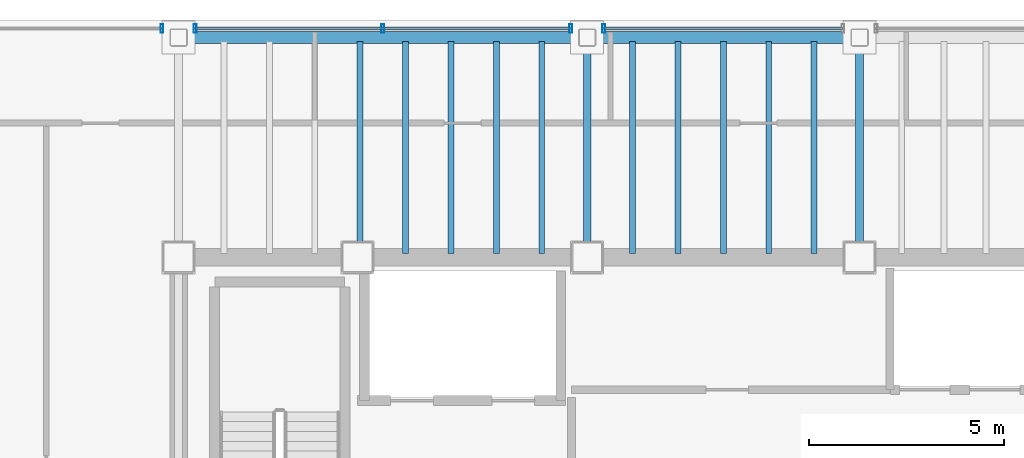
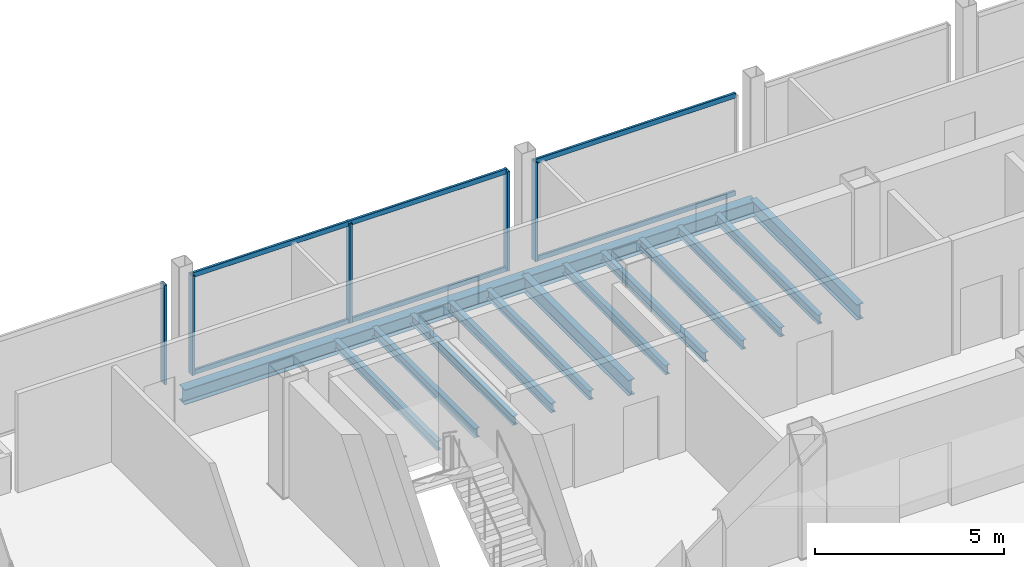
# One storey, part 9 of 17: 14 beams, 9 members, 3 elements without a shape of their own.
"""IFC4 building model written with IfcOpenShell, lengths in metres."""

from ifc_helpers import new_model, si_unit, direction, frame, origin, origin_2d, place, context, subcontext, project, spatial, hollow_rectangle, i_section, extrude, material, material_profile, profile_set, type_object, element, aggregate, save


model = new_model("IFC4")

# Units and contexts
model_context = context("Model", 3, precision=1e-05, world=origin(), true_north=direction((0.0, 1.0)))
body_context = subcontext(model_context, "Body", "Model", "MODEL_VIEW")
ifc_project = project(units=[si_unit("LENGTHUNIT", "METRE"), si_unit("AREAUNIT", "SQUARE_METRE"), si_unit("VOLUMEUNIT", "CUBIC_METRE"), si_unit("PLANEANGLEUNIT", "RADIAN"), si_unit("MASSUNIT", "GRAM", prefix="KILO")], contexts=[model_context])

# Site, building, storey
site_placement = place(None, origin())
site = spatial("IfcSite", under=ifc_project, at=site_placement, CompositionType="ELEMENT")
building_placement = place(site_placement, origin())
building = spatial("IfcBuilding", under=site, at=building_placement, Name="Noeulbin Bourse Tower", CompositionType="ELEMENT")
storey_placement = place(building_placement, frame((0.0, 0.0, 265.699951171875)))
storey = spatial("IfcBuildingStorey", under=building, at=storey_placement, Name="L66", CompositionType="ELEMENT", Elevation=265.699951171875)

# Beams
ifc_material_1 = material(Name="Steel S355", Category="steel")
ifc_material_profile_1 = material_profile(ifc_material_1, i_section(OverallWidth=0.199951171875, OverallDepth=0.5, WebThickness=0.010009765625, FlangeThickness=0.01611328125, FilletRadius=0.02001953125, at=origin_2d()), Name="H-500x200x10x16", Category="LoadBearing")
ifc_profile_set_1 = profile_set([ifc_material_profile_1], Name="Steel S355")
beam_type_1 = type_object("IfcBeamType", Name="BM-GRD-500", PredefinedType="USERDEFINED", material=ifc_profile_set_1)
for number, where, z_axis, x_axis, name in (
    (1, (24.0, 38.300048828125, -0.429931640625), (0.0, 1.0, 0.0), (-1.0, 0.0, 0.0), "Tower Primary Girder NS L66-2.4"),
    (2, (31.0, 38.300048828125, -0.429931640625), (0.0, 1.0, 0.0), (-1.0, 0.0, 0.0), "Tower Primary Girder NS L66-3.4"),
):
    element("IfcBeam", number, at=place(storey_placement, frame(where, z_axis=z_axis, x_axis=x_axis)), inside=storey, type_object=beam_type_1, Name=name, ObjectType="GIRDER", PredefinedType="USERDEFINED", context=body_context, shape_type="SweptSolid", body=[
        extrude(i_section(OverallWidth=0.199951171875, OverallDepth=0.5, WebThickness=0.010009765625, FlangeThickness=0.01611328125, FilletRadius=0.02001953125, at=origin_2d()), origin(), (0.0, 0.0, 1.0), 5.64990234375),
    ])
ifc_material_profile_2 = material_profile(ifc_material_1, i_section(OverallWidth=0.14990234375, OverallDepth=0.300048828125, WebThickness=0.006591796875, FlangeThickness=0.009033203125, FilletRadius=0.012939453125, at=origin_2d()), Name="H-300x150x6.5x9", Category="LoadBearing")
ifc_profile_set_2 = profile_set([ifc_material_profile_2], Name="Steel S355")
beam_type_2 = type_object("IfcBeamType", Name="BM-JST-300", PredefinedType="JOIST", material=ifc_profile_set_2)
for number, where, z_axis, x_axis, name in (
    (3, (18.166748046875, 38.39990234375, -0.329833984375), (0.0, 1.0, 0.0), (-1.0, 0.0, 0.0), "Tower Composite Joist L66-08"),
    (4, (19.333251953125, 38.39990234375, -0.329833984375), (0.0, 1.0, 0.0), (-1.0, 0.0, 0.0), "Tower Composite Joist L66-10"),
    (5, (20.5, 38.39990234375, -0.329833984375), (0.0, 1.0, 0.0), (-1.0, 0.0, 0.0), "Tower Composite Joist L66-12"),
    (6, (21.666748046875, 38.39990234375, -0.329833984375), (0.0, 1.0, 0.0), (-1.0, 0.0, 0.0), "Tower Composite Joist L66-14"),
    (7, (22.833251953125, 38.39990234375, -0.329833984375), (0.0, 1.0, 0.0), (-1.0, 0.0, 0.0), "Tower Composite Joist L66-16"),
    (8, (25.166748046875, 38.39990234375, -0.329833984375), (0.0, 1.0, 0.0), (-1.0, 0.0, 0.0), "Tower Composite Joist L66-18"),
    (9, (26.333251953125, 38.39990234375, -0.329833984375), (0.0, 1.0, 0.0), (-1.0, 0.0, 0.0), "Tower Composite Joist L66-20"),
    (10, (27.5, 38.39990234375, -0.329833984375), (0.0, 1.0, 0.0), (-1.0, 0.0, 0.0), "Tower Composite Joist L66-22"),
    (11, (28.666748046875, 38.39990234375, -0.329833984375), (0.0, 1.0, 0.0), (-1.0, 0.0, 0.0), "Tower Composite Joist L66-24"),
    (12, (29.833251953125, 38.39990234375, -0.329833984375), (0.0, 1.0, 0.0), (-1.0, 0.0, 0.0), "Tower Composite Joist L66-26"),
):
    element("IfcBeam", number, at=place(storey_placement, frame(where, z_axis=z_axis, x_axis=x_axis)), inside=storey, type_object=beam_type_2, Name=name, PredefinedType="JOIST", context=body_context, shape_type="SweptSolid", body=[
        extrude(i_section(OverallWidth=0.14990234375, OverallDepth=0.300048828125, WebThickness=0.006591796875, FlangeThickness=0.009033203125, FilletRadius=0.012939453125, at=origin_2d()), origin(), (0.0, 0.0, 1.0), 5.4501953125),
    ])
ifc_material_profile_3 = material_profile(ifc_material_1, i_section(OverallWidth=0.300048828125, OverallDepth=0.488037109375, WebThickness=0.010986328125, FlangeThickness=0.01806640625, FilletRadius=0.02197265625, at=origin_2d()), Name="H-488x300x11x18", Category="LoadBearing")
ifc_profile_set_3 = profile_set([ifc_material_profile_3], Name="Steel S355")
beam_type_3 = type_object("IfcBeamType", Name="BM-SPN-488", PredefinedType="SPANDREL", material=ifc_profile_set_3)
beam_1_placement = place(storey_placement, frame((13.5, 43.949951171875, -0.424072265625), z_axis=(1.0, 0.0, 0.0), x_axis=(0.0, 1.0, 0.0)))
element("IfcBeam", 13, at=beam_1_placement, inside=storey, type_object=beam_type_3, Name="North Spandrel L66-1", PredefinedType="SPANDREL", context=body_context, shape_type="SweptSolid", body=[
    extrude(i_section(OverallWidth=0.300048828125, OverallDepth=0.488037109375, WebThickness=0.010986328125, FlangeThickness=0.01806640625, FilletRadius=0.02197265625, at=origin_2d()), origin(), (0.0, 0.0, 1.0), 10.5),
])
beam_2_placement = place(storey_placement, frame((24.0, 43.949951171875, -0.424072265625), z_axis=(1.0, 0.0, 0.0), x_axis=(0.0, 1.0, 0.0)))
element("IfcBeam", 14, at=beam_2_placement, inside=storey, type_object=beam_type_3, Name="North Spandrel L66-2", PredefinedType="SPANDREL", context=body_context, shape_type="SweptSolid", body=[
    extrude(i_section(OverallWidth=0.300048828125, OverallDepth=0.488037109375, WebThickness=0.010986328125, FlangeThickness=0.01806640625, FilletRadius=0.02197265625, at=origin_2d()), origin(), (0.0, 0.0, 1.0), 7.0),
])

# Curtain wall, member
ifc_material_2 = material(Name="High-Selectivity Low-Iron Glazing", Category="glass")
curtain_wall_type = type_object("IfcCurtainWallType", Name="CW-SYS-4", PredefinedType="NOTDEFINED", material=ifc_material_2)
curtain_wall_1_placement = place(storey_placement, origin())
curtain_wall_1 = element("IfcCurtainWall", 15, at=curtain_wall_1_placement, inside=storey, type_object=curtain_wall_type, Name="Unitised Curtain Wall CW-L66-N-S1", PredefinedType="NOTDEFINED")
ifc_material_3 = material(Name="Anodised Aluminium 6063-T6", Category="aluminium")
ifc_material_profile_4 = material_profile(ifc_material_3, hollow_rectangle(XDim=0.074951171875, YDim=0.219970703125, WallThickness=0.0048828125, InnerFilletRadius=0.00244140625, OuterFilletRadius=0.0048828125, at=origin_2d()), Name="ALU-MULL-75x220x5", Category="LoadBearing")
ifc_profile_set_4 = profile_set([ifc_material_profile_4], Name="Anodised Aluminium 6063-T6")
member_type_1 = type_object("IfcMemberType", Name="CW-SYS-4-MUL", PredefinedType="MULLION", material=ifc_profile_set_4)
member_1_placement = place(storey_placement, frame((13.074951171875, 44.179931640625, -0.02001953125), z_axis=(0.0, 0.0, 1.0), x_axis=(1.0, 0.0, 0.0)))
member_1 = element("IfcMember", 16, at=member_1_placement, type_object=member_type_1, Name="Curtain Wall Mullion CW-L66-N-S1-M01", PredefinedType="MULLION", context=body_context, shape_type="SweptSolid", body=[
    extrude(hollow_rectangle(XDim=0.074951171875, YDim=0.219970703125, WallThickness=0.0048828125, InnerFilletRadius=0.00244140625, OuterFilletRadius=0.0048828125, at=origin_2d()), origin(), (0.0, 0.0, 1.0), 3.219970703125),
])
aggregate(curtain_wall_1, [member_1])

# Curtain wall, members
curtain_wall_2_placement = place(storey_placement, origin())
curtain_wall_2 = element("IfcCurtainWall", 17, at=curtain_wall_2_placement, inside=storey, type_object=curtain_wall_type, Name="Unitised Curtain Wall CW-L66-N-S2", PredefinedType="NOTDEFINED")
member_2_placement = place(storey_placement, frame((13.925048828125, 44.179931640625, -0.02001953125), z_axis=(0.0, 0.0, 1.0), x_axis=(1.0, 0.0, 0.0)))
member_2 = element("IfcMember", 18, at=member_2_placement, type_object=member_type_1, Name="Curtain Wall Mullion CW-L66-N-S2-M00", PredefinedType="MULLION", context=body_context, shape_type="SweptSolid", body=[
    extrude(hollow_rectangle(XDim=0.074951171875, YDim=0.219970703125, WallThickness=0.0048828125, InnerFilletRadius=0.00244140625, OuterFilletRadius=0.0048828125, at=origin_2d()), origin(), (0.0, 0.0, 1.0), 3.219970703125),
])
member_3_placement = place(storey_placement, frame((18.75, 44.179931640625, -0.02001953125), z_axis=(0.0, 0.0, 1.0), x_axis=(1.0, 0.0, 0.0)))
member_3 = element("IfcMember", 19, at=member_3_placement, type_object=member_type_1, Name="Curtain Wall Mullion CW-L66-N-S2-M01", PredefinedType="MULLION", context=body_context, shape_type="SweptSolid", body=[
    extrude(hollow_rectangle(XDim=0.074951171875, YDim=0.219970703125, WallThickness=0.0048828125, InnerFilletRadius=0.00244140625, OuterFilletRadius=0.0048828125, at=origin_2d()), origin(), (0.0, 0.0, 1.0), 3.219970703125),
])
member_4_placement = place(storey_placement, frame((23.574951171875, 44.179931640625, -0.02001953125), z_axis=(0.0, 0.0, 1.0), x_axis=(1.0, 0.0, 0.0)))
member_4 = element("IfcMember", 20, at=member_4_placement, type_object=member_type_1, Name="Curtain Wall Mullion CW-L66-N-S2-M02", PredefinedType="MULLION", context=body_context, shape_type="SweptSolid", body=[
    extrude(hollow_rectangle(XDim=0.074951171875, YDim=0.219970703125, WallThickness=0.0048828125, InnerFilletRadius=0.00244140625, OuterFilletRadius=0.0048828125, at=origin_2d()), origin(), (0.0, 0.0, 1.0), 3.219970703125),
])

# Curtain wall, member
curtain_wall_3_placement = place(storey_placement, origin())
curtain_wall_3 = element("IfcCurtainWall", 21, at=curtain_wall_3_placement, inside=storey, type_object=curtain_wall_type, Name="Unitised Curtain Wall CW-L66-N-S3", PredefinedType="NOTDEFINED")
member_5_placement = place(storey_placement, frame((24.425048828125, 44.179931640625, -0.02001953125), z_axis=(0.0, 0.0, 1.0), x_axis=(1.0, 0.0, 0.0)))
member_5 = element("IfcMember", 22, at=member_5_placement, type_object=member_type_1, Name="Curtain Wall Mullion CW-L66-N-S3-M00", PredefinedType="MULLION", context=body_context, shape_type="SweptSolid", body=[
    extrude(hollow_rectangle(XDim=0.074951171875, YDim=0.219970703125, WallThickness=0.0048828125, InnerFilletRadius=0.00244140625, OuterFilletRadius=0.0048828125, at=origin_2d()), origin(), (0.0, 0.0, 1.0), 3.219970703125),
])

# Member
ifc_material_profile_5 = material_profile(ifc_material_3, hollow_rectangle(XDim=0.074951171875, YDim=0.159912109375, WallThickness=0.0048828125, InnerFilletRadius=0.00244140625, OuterFilletRadius=0.0048828125, at=origin_2d()), Name="ALU-TRAN-75x160x5", Category="LoadBearing")
ifc_profile_set_5 = profile_set([ifc_material_profile_5], Name="Anodised Aluminium 6063-T6")
member_type_2 = type_object("IfcMemberType", Name="CW-SYS-4-TRN", PredefinedType="USERDEFINED", material=ifc_profile_set_5)
member_6_placement = place(storey_placement, frame((13.93505859375, 44.179931640625, 0.010009765625), z_axis=(1.0, 0.0, 0.0), x_axis=(0.0, 1.0, 0.0)))
member_6 = element("IfcMember", 23, at=member_6_placement, type_object=member_type_2, Name="Curtain Wall Transom CW-L66-N-S2-T00", ObjectType="TRANSOM", PredefinedType="USERDEFINED", context=body_context, shape_type="SweptSolid", body=[
    extrude(hollow_rectangle(XDim=0.074951171875, YDim=0.159912109375, WallThickness=0.0048828125, InnerFilletRadius=0.00244140625, OuterFilletRadius=0.0048828125, at=origin_2d()), origin(), (0.0, 0.0, 1.0), 9.6298828125),
])

member_7_placement = place(storey_placement, frame((13.93505859375, 44.179931640625, 3.170166015625), z_axis=(1.0, 0.0, 0.0), x_axis=(0.0, 1.0, 0.0)))
member_7 = element("IfcMember", 24, at=member_7_placement, type_object=member_type_2, Name="Curtain Wall Transom CW-L66-N-S2-T01", ObjectType="TRANSOM", PredefinedType="USERDEFINED", context=body_context, shape_type="SweptSolid", body=[
    extrude(hollow_rectangle(XDim=0.074951171875, YDim=0.159912109375, WallThickness=0.0048828125, InnerFilletRadius=0.00244140625, OuterFilletRadius=0.0048828125, at=origin_2d()), origin(), (0.0, 0.0, 1.0), 9.6298828125),
])

aggregate(curtain_wall_2, [member_2, member_3, member_4, member_6, member_7])

member_8_placement = place(storey_placement, frame((24.43505859375, 44.179931640625, 0.010009765625), z_axis=(1.0, 0.0, 0.0), x_axis=(0.0, 1.0, 0.0)))
member_8 = element("IfcMember", 25, at=member_8_placement, type_object=member_type_2, Name="Curtain Wall Transom CW-L66-N-S3-T00", ObjectType="TRANSOM", PredefinedType="USERDEFINED", context=body_context, shape_type="SweptSolid", body=[
    extrude(hollow_rectangle(XDim=0.074951171875, YDim=0.159912109375, WallThickness=0.0048828125, InnerFilletRadius=0.00244140625, OuterFilletRadius=0.0048828125, at=origin_2d()), origin(), (0.0, 0.0, 1.0), 6.1298828125),
])

member_9_placement = place(storey_placement, frame((24.43505859375, 44.179931640625, 3.170166015625), z_axis=(1.0, 0.0, 0.0), x_axis=(0.0, 1.0, 0.0)))
member_9 = element("IfcMember", 26, at=member_9_placement, type_object=member_type_2, Name="Curtain Wall Transom CW-L66-N-S3-T01", ObjectType="TRANSOM", PredefinedType="USERDEFINED", context=body_context, shape_type="SweptSolid", body=[
    extrude(hollow_rectangle(XDim=0.074951171875, YDim=0.159912109375, WallThickness=0.0048828125, InnerFilletRadius=0.00244140625, OuterFilletRadius=0.0048828125, at=origin_2d()), origin(), (0.0, 0.0, 1.0), 6.1298828125),
])

aggregate(curtain_wall_3, [member_5, member_8, member_9])

save(model, "model.ifc")
